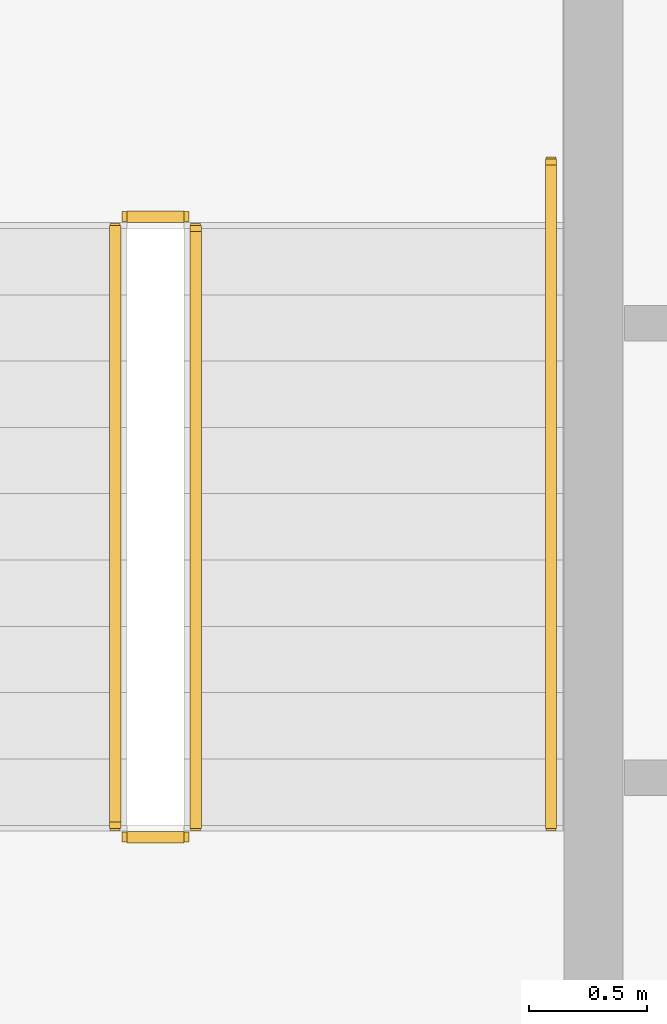
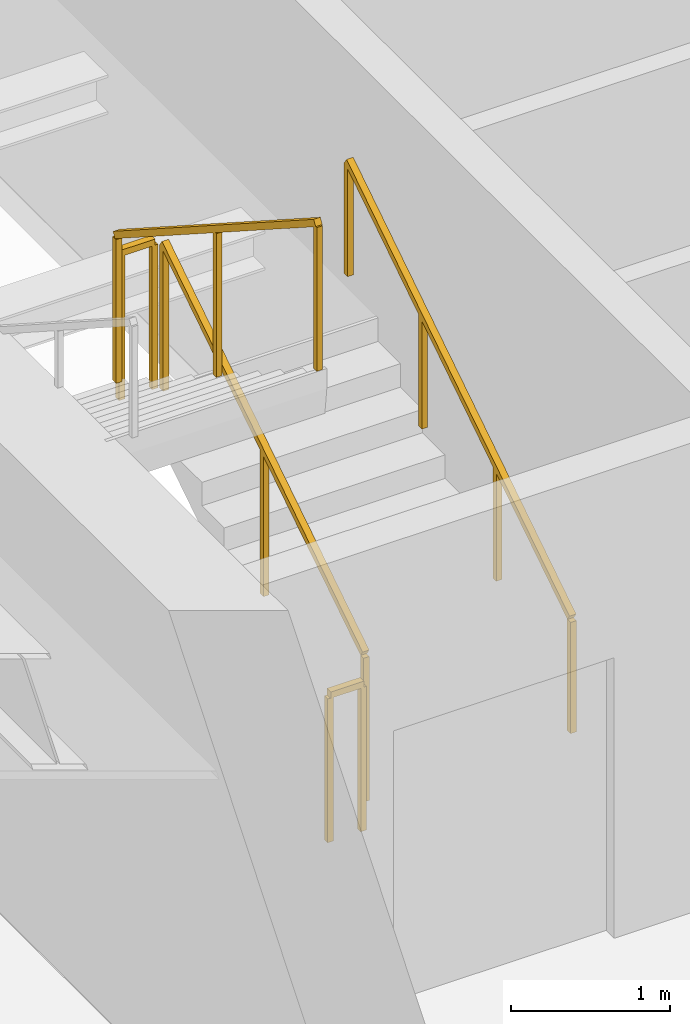
# One storey, part 24 of 27: 5 railings.
"""IFC4 building model written with IfcOpenShell, lengths in metres."""

from ifc_helpers import new_model, si_unit, direction, frame, origin, origin_2d, place, context, subcontext, project, spatial, rectangle, extrude, material, type_object, element, save


model = new_model("IFC4")

# Units and contexts
model_context = context("Model", 3, precision=1e-05, world=origin(), true_north=direction((0.0, 1.0)))
body_context = subcontext(model_context, "Body", "Model", "MODEL_VIEW")
ifc_project = project(units=[si_unit("LENGTHUNIT", "METRE"), si_unit("AREAUNIT", "SQUARE_METRE"), si_unit("VOLUMEUNIT", "CUBIC_METRE"), si_unit("PLANEANGLEUNIT", "RADIAN"), si_unit("MASSUNIT", "GRAM", prefix="KILO")], contexts=[model_context])

# Site, building, storey
site_placement = place(None, origin())
site = spatial("IfcSite", under=ifc_project, at=site_placement, CompositionType="ELEMENT")
building_placement = place(site_placement, origin())
building = spatial("IfcBuilding", under=site, at=building_placement, Name="Sumidabori Civic Tower", CompositionType="ELEMENT")
storey_placement = place(building_placement, frame((0.0, 0.0, 164.0)))
storey = spatial("IfcBuildingStorey", under=building, at=storey_placement, Name="L42", CompositionType="ELEMENT", Elevation=164.0)

# Railings
ifc_material_1 = material(Name="Stainless Steel Hairline Finish", Category="steel")
railing_type_1 = type_object("IfcRailingType", Name="RL-HANDRAIL", PredefinedType="HANDRAIL", material=ifc_material_1)
railing_1_placement = place(storey_placement, frame((-11.949951171875, 16.0, 0.179931640625)))
element("IfcRailing", 1, at=railing_1_placement, inside=storey, type_object=railing_type_1, Name="L42 ST-1 stair handrail 1", PredefinedType="HANDRAIL", context=body_context, shape_type="SweptSolid", body=[
    extrude(rectangle(XDim=0.048095703125, YDim=0.048095703125, at=origin_2d()), frame((0.0, 0.0, 0.8759765625), z_axis=(0.0, 0.84064222762, 0.54159084662), x_axis=(-1.0, 0.0, 0.0)), (0.0, 0.0, 1.0), 3.330810546875),
    extrude(rectangle(XDim=0.0419921875, YDim=0.0419921875, at=origin_2d()), origin(), (0.0, 0.0, 1.0), 0.851806640625),
    extrude(rectangle(XDim=0.0419921875, YDim=0.0419921875, at=origin_2d()), frame((0.0, 0.933349609375, 0.601318359375)), (0.0, 0.0, 1.0), 0.851806640625),
    extrude(rectangle(XDim=0.0419921875, YDim=0.0419921875, at=origin_2d()), frame((0.0, 1.86669921875, 1.20263671875)), (0.0, 0.0, 1.0), 0.851806640625),
    extrude(rectangle(XDim=0.0419921875, YDim=0.0419921875, at=origin_2d()), frame((0.0, 2.800048828125, 1.803955078125)), (0.0, 0.0, 1.0), 0.851806640625),
])
ifc_material_2 = material(Name="Steel SN490", Category="steel")
railing_type_2 = type_object("IfcRailingType", Name="RL-STAIR-GUARD", PredefinedType="GUARDRAIL", material=ifc_material_2)
railing_2_placement = place(storey_placement, frame((-13.449951171875, 16.0, 0.179931640625)))
element("IfcRailing", 2, at=railing_2_placement, inside=storey, type_object=railing_type_2, Name="L42 ST-1 stair guard 1", PredefinedType="GUARDRAIL", context=body_context, shape_type="SweptSolid", body=[
    extrude(rectangle(XDim=0.048095703125, YDim=0.048095703125, at=origin_2d()), frame((0.0, 0.0, 1.1259765625), z_axis=(0.0, 0.841162588446, 0.540782303519), x_axis=(-1.0, 0.0, 0.0)), (0.0, 0.0, 1.0), 2.995849609375),
    extrude(rectangle(XDim=0.0419921875, YDim=0.0419921875, at=origin_2d()), origin(), (0.0, 0.0, 1.0), 1.101806640625),
    extrude(rectangle(XDim=0.0419921875, YDim=0.0419921875, at=origin_2d()), frame((0.0, 1.260009765625, 0.81005859375)), (0.0, 0.0, 1.0), 1.101806640625),
    extrude(rectangle(XDim=0.0419921875, YDim=0.0419921875, at=origin_2d()), frame((0.0, 2.52001953125, 1.6201171875)), (0.0, 0.0, 1.0), 1.101806640625),
])
railing_3_placement = place(storey_placement, frame((-13.5, 18.570068359375, 1.800048828125)))
element("IfcRailing", 3, at=railing_3_placement, inside=storey, type_object=railing_type_2, Name="L42 ST-1 stair guard 2", PredefinedType="GUARDRAIL", context=body_context, shape_type="SweptSolid", body=[
    extrude(rectangle(XDim=0.048095703125, YDim=0.048095703125, at=origin_2d()), frame((0.0, 0.0, 1.1259765625), z_axis=(-1.0, 0.0, 0.0), x_axis=(0.0, -1.0, 0.0)), (0.0, 0.0, 1.0), 0.239990234375),
    extrude(rectangle(XDim=0.0419921875, YDim=0.0419921875, at=origin_2d()), origin(), (0.0, 0.0, 1.0), 1.101806640625),
    extrude(rectangle(XDim=0.0419921875, YDim=0.0419921875, at=origin_2d()), frame((-0.239990234375, 0.0, 0.0)), (0.0, 0.0, 1.0), 1.101806640625),
])
railing_4_placement = place(storey_placement, frame((-13.7900390625, 18.52001953125, 1.97998046875)))
element("IfcRailing", 4, at=railing_4_placement, inside=storey, type_object=railing_type_2, Name="L42 ST-1 stair guard 3", PredefinedType="GUARDRAIL", context=body_context, shape_type="SweptSolid", body=[
    extrude(rectangle(XDim=0.048095703125, YDim=0.048095703125, at=origin_2d()), frame((0.0, 0.0, 1.1259765625), z_axis=(0.0, -0.841162588446, 0.540782303519), x_axis=(1.0, 0.0, 0.0)), (0.0, 0.0, 1.0), 2.995849609375),
    extrude(rectangle(XDim=0.0419921875, YDim=0.0419921875, at=origin_2d()), origin(), (0.0, 0.0, 1.0), 1.101806640625),
    extrude(rectangle(XDim=0.0419921875, YDim=0.0419921875, at=origin_2d()), frame((0.0, -1.260009765625, 0.81005859375)), (0.0, 0.0, 1.0), 1.101806640625),
    extrude(rectangle(XDim=0.0419921875, YDim=0.0419921875, at=origin_2d()), frame((0.0, -2.52001953125, 1.6201171875)), (0.0, 0.0, 1.0), 1.101806640625),
])
railing_5_placement = place(storey_placement, frame((-13.5, 15.949951171875, 0.0)))
element("IfcRailing", 5, at=railing_5_placement, inside=storey, type_object=railing_type_2, Name="L42 ST-1 stair guard 4", PredefinedType="GUARDRAIL", context=body_context, shape_type="SweptSolid", body=[
    extrude(rectangle(XDim=0.048095703125, YDim=0.048095703125, at=origin_2d()), frame((0.0, 0.0, 1.1259765625), z_axis=(-1.0, 0.0, 0.0), x_axis=(0.0, -1.0, 0.0)), (0.0, 0.0, 1.0), 0.239990234375),
    extrude(rectangle(XDim=0.0419921875, YDim=0.0419921875, at=origin_2d()), origin(), (0.0, 0.0, 1.0), 1.101806640625),
    extrude(rectangle(XDim=0.0419921875, YDim=0.0419921875, at=origin_2d()), frame((-0.239990234375, 0.0, 0.0)), (0.0, 0.0, 1.0), 1.101806640625),
])

save(model, "model.ifc")
